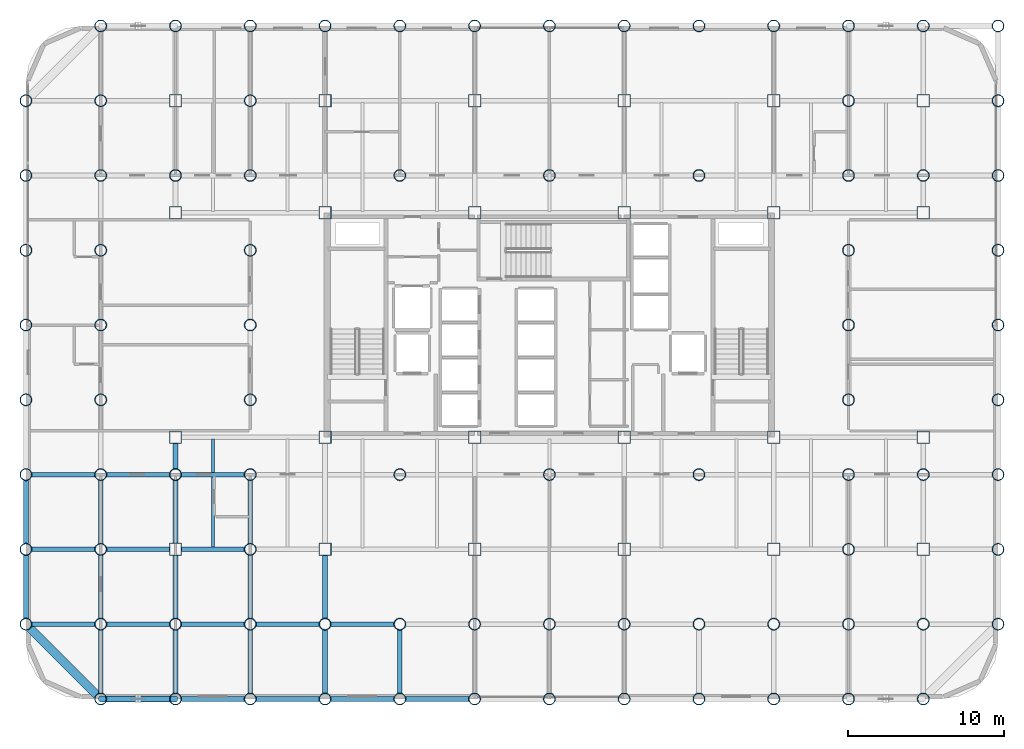
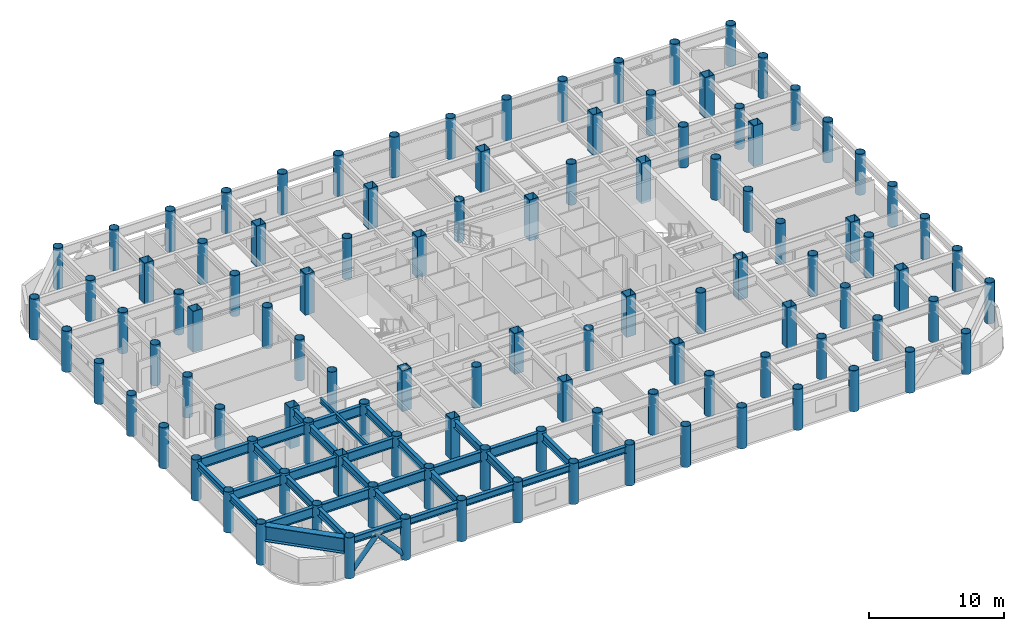
# One storey, part 1 of 21: 108 columns, 33 beams, 2 members.
"""IFC4 building model written with IfcOpenShell, lengths in metres."""

from ifc_helpers import new_model, si_unit, direction, frame, origin, origin_2d, place, context, subcontext, project, spatial, hollow_rectangle, hollow_circle, i_section, extrude, material, material_profile, profile_set, type_object, element, save


model = new_model("IFC4")

# Units and contexts
model_context = context("Model", 3, precision=1e-05, world=origin(), true_north=direction((0.0, 1.0)))
body_context = subcontext(model_context, "Body", "Model", "MODEL_VIEW")
ifc_project = project(units=[si_unit("LENGTHUNIT", "METRE"), si_unit("AREAUNIT", "SQUARE_METRE"), si_unit("VOLUMEUNIT", "CUBIC_METRE"), si_unit("PLANEANGLEUNIT", "RADIAN"), si_unit("MASSUNIT", "GRAM", prefix="KILO")], contexts=[model_context])

# Site, building, storey
site_placement = place(None, origin())
site = spatial("IfcSite", under=ifc_project, at=site_placement, CompositionType="ELEMENT")
building_placement = place(site_placement, origin())
building = spatial("IfcBuilding", under=site, at=building_placement, Name="Kallvorn Hotel Tower", CompositionType="ELEMENT")
storey_placement = place(building_placement, frame((0.0, 0.0, 52.199951171875)))
storey = spatial("IfcBuildingStorey", under=building, at=storey_placement, Name="L11", CompositionType="ELEMENT", Elevation=52.199951171875)

# Columns
ifc_material_1 = material(Name="Structural steel S355J2H", Category="steel")
ifc_material_profile_1 = material_profile(ifc_material_1, hollow_circle(Radius=0.381103515625, WallThickness=0.031982421875, at=origin_2d()), Name="CHS 762x32")
ifc_profile_set_1 = profile_set([ifc_material_profile_1], Name="Structural steel S355J2H")
column_type_1 = type_object("IfcColumnType", Name="COL_CHS_762", PredefinedType="COLUMN", material=ifc_profile_set_1)
for number, where, z_axis, x_axis, name in (
    (1, (-33.60009765625, -19.199951171875, 0.0), (0.0, 0.0, 1.0), (1.0, 0.0, 0.0), "L11 Exoskeleton Column EC01"),
    (2, (-33.60009765625, -14.39990234375, 0.0), (0.0, 0.0, 1.0), (1.0, 0.0, 0.0), "L11 Exoskeleton Column EC02"),
    (3, (-33.60009765625, -9.60009765625, 0.0), (0.0, 0.0, 1.0), (1.0, 0.0, 0.0), "L11 Exoskeleton Column EC03"),
    (4, (-33.60009765625, -4.800048828125, 0.0), (0.0, 0.0, 1.0), (1.0, 0.0, 0.0), "L11 Exoskeleton Column EC04"),
    (5, (-33.60009765625, 0.0, 0.0), (0.0, 0.0, 1.0), (1.0, 0.0, 0.0), "L11 Exoskeleton Column EC05"),
    (6, (-33.60009765625, 4.800048828125, 0.0), (0.0, 0.0, 1.0), (1.0, 0.0, 0.0), "L11 Exoskeleton Column EC06"),
    (7, (-33.60009765625, 9.60009765625, 0.0), (0.0, 0.0, 1.0), (1.0, 0.0, 0.0), "L11 Exoskeleton Column EC07"),
    (8, (-33.60009765625, 14.39990234375, 0.0), (0.0, 0.0, 1.0), (1.0, 0.0, 0.0), "L11 Exoskeleton Column EC08"),
    (9, (-28.800048828125, -24.0, 0.0), (0.0, 0.0, 1.0), (1.0, 0.0, 0.0), "L11 Exoskeleton Column EC09"),
    (10, (-28.800048828125, -19.199951171875, 0.0), (0.0, 0.0, 1.0), (1.0, 0.0, 0.0), "L11 Exoskeleton Column EC10"),
    (11, (-28.800048828125, -14.39990234375, 0.0), (0.0, 0.0, 1.0), (1.0, 0.0, 0.0), "L11 Exoskeleton Column EC11"),
    (12, (-28.800048828125, -9.60009765625, 0.0), (0.0, 0.0, 1.0), (1.0, 0.0, 0.0), "L11 Exoskeleton Column EC12"),
    (13, (-28.800048828125, -4.800048828125, 0.0), (0.0, 0.0, 1.0), (1.0, 0.0, 0.0), "L11 Exoskeleton Column EC13"),
    (14, (-28.800048828125, 0.0, 0.0), (0.0, 0.0, 1.0), (1.0, 0.0, 0.0), "L11 Exoskeleton Column EC14"),
    (15, (-28.800048828125, 4.800048828125, 0.0), (0.0, 0.0, 1.0), (1.0, 0.0, 0.0), "L11 Exoskeleton Column EC15"),
    (16, (-28.800048828125, 9.60009765625, 0.0), (0.0, 0.0, 1.0), (1.0, 0.0, 0.0), "L11 Exoskeleton Column EC16"),
    (17, (-28.800048828125, 14.39990234375, 0.0), (0.0, 0.0, 1.0), (1.0, 0.0, 0.0), "L11 Exoskeleton Column EC17"),
    (18, (-28.800048828125, 19.199951171875, 0.0), (0.0, 0.0, 1.0), (1.0, 0.0, 0.0), "L11 Exoskeleton Column EC18"),
    (19, (-24.0, -24.0, 0.0), (0.0, 0.0, 1.0), (1.0, 0.0, 0.0), "L11 Exoskeleton Column EC19"),
    (20, (-24.0, -19.199951171875, 0.0), (0.0, 0.0, 1.0), (1.0, 0.0, 0.0), "L11 Exoskeleton Column EC20"),
    (21, (-24.0, -9.60009765625, 0.0), (0.0, 0.0, 1.0), (1.0, 0.0, 0.0), "L11 Exoskeleton Column EC21"),
    (22, (-24.0, 9.60009765625, 0.0), (0.0, 0.0, 1.0), (1.0, 0.0, 0.0), "L11 Exoskeleton Column EC22"),
    (23, (-24.0, 19.199951171875, 0.0), (0.0, 0.0, 1.0), (1.0, 0.0, 0.0), "L11 Exoskeleton Column EC23"),
    (24, (-19.199951171875, -24.0, 0.0), (0.0, 0.0, 1.0), (1.0, 0.0, 0.0), "L11 Exoskeleton Column EC24"),
    (25, (-19.199951171875, -19.199951171875, 0.0), (0.0, 0.0, 1.0), (1.0, 0.0, 0.0), "L11 Exoskeleton Column EC25"),
    (26, (-19.199951171875, -14.39990234375, 0.0), (0.0, 0.0, 1.0), (1.0, 0.0, 0.0), "L11 Exoskeleton Column EC26"),
    (27, (-19.199951171875, -9.60009765625, 0.0), (0.0, 0.0, 1.0), (1.0, 0.0, 0.0), "L11 Exoskeleton Column EC27"),
    (28, (-19.199951171875, -4.800048828125, 0.0), (0.0, 0.0, 1.0), (1.0, 0.0, 0.0), "L11 Exoskeleton Column EC28"),
    (29, (-19.199951171875, 0.0, 0.0), (0.0, 0.0, 1.0), (1.0, 0.0, 0.0), "L11 Exoskeleton Column EC29"),
    (30, (-19.199951171875, 4.800048828125, 0.0), (0.0, 0.0, 1.0), (1.0, 0.0, 0.0), "L11 Exoskeleton Column EC30"),
    (31, (-19.199951171875, 9.60009765625, 0.0), (0.0, 0.0, 1.0), (1.0, 0.0, 0.0), "L11 Exoskeleton Column EC31"),
    (32, (-19.199951171875, 14.39990234375, 0.0), (0.0, 0.0, 1.0), (1.0, 0.0, 0.0), "L11 Exoskeleton Column EC32"),
    (33, (-19.199951171875, 19.199951171875, 0.0), (0.0, 0.0, 1.0), (1.0, 0.0, 0.0), "L11 Exoskeleton Column EC33"),
    (34, (-14.39990234375, -24.0, 0.0), (0.0, 0.0, 1.0), (1.0, 0.0, 0.0), "L11 Exoskeleton Column EC34"),
    (35, (-14.39990234375, -19.199951171875, 0.0), (0.0, 0.0, 1.0), (1.0, 0.0, 0.0), "L11 Exoskeleton Column EC35"),
    (36, (-14.39990234375, 19.199951171875, 0.0), (0.0, 0.0, 1.0), (1.0, 0.0, 0.0), "L11 Exoskeleton Column EC36"),
    (37, (-9.60009765625, -24.0, 0.0), (0.0, 0.0, 1.0), (1.0, 0.0, 0.0), "L11 Exoskeleton Column EC37"),
    (38, (-9.60009765625, -19.199951171875, 0.0), (0.0, 0.0, 1.0), (1.0, 0.0, 0.0), "L11 Exoskeleton Column EC38"),
    (39, (-9.60009765625, -9.60009765625, 0.0), (0.0, 0.0, 1.0), (1.0, 0.0, 0.0), "L11 Exoskeleton Column EC39"),
    (40, (-9.60009765625, 9.60009765625, 0.0), (0.0, 0.0, 1.0), (1.0, 0.0, 0.0), "L11 Exoskeleton Column EC40"),
    (41, (-9.60009765625, 19.199951171875, 0.0), (0.0, 0.0, 1.0), (1.0, 0.0, 0.0), "L11 Exoskeleton Column EC41"),
    (42, (-4.800048828125, -24.0, 0.0), (0.0, 0.0, 1.0), (1.0, 0.0, 0.0), "L11 Exoskeleton Column EC42"),
    (43, (-4.800048828125, -19.199951171875, 0.0), (0.0, 0.0, 1.0), (1.0, 0.0, 0.0), "L11 Exoskeleton Column EC43"),
    (44, (-4.800048828125, 19.199951171875, 0.0), (0.0, 0.0, 1.0), (1.0, 0.0, 0.0), "L11 Exoskeleton Column EC44"),
    (45, (0.0, -24.0, 0.0), (0.0, 0.0, 1.0), (1.0, 0.0, 0.0), "L11 Exoskeleton Column EC45"),
    (46, (0.0, -19.199951171875, 0.0), (0.0, 0.0, 1.0), (1.0, 0.0, 0.0), "L11 Exoskeleton Column EC46"),
    (47, (0.0, -9.60009765625, 0.0), (0.0, 0.0, 1.0), (1.0, 0.0, 0.0), "L11 Exoskeleton Column EC47"),
    (48, (0.0, 9.60009765625, 0.0), (0.0, 0.0, 1.0), (1.0, 0.0, 0.0), "L11 Exoskeleton Column EC48"),
    (49, (0.0, 19.199951171875, 0.0), (0.0, 0.0, 1.0), (1.0, 0.0, 0.0), "L11 Exoskeleton Column EC49"),
    (50, (4.800048828125, -24.0, 0.0), (0.0, 0.0, 1.0), (1.0, 0.0, 0.0), "L11 Exoskeleton Column EC50"),
    (51, (4.800048828125, -19.199951171875, 0.0), (0.0, 0.0, 1.0), (1.0, 0.0, 0.0), "L11 Exoskeleton Column EC51"),
    (52, (4.800048828125, 19.199951171875, 0.0), (0.0, 0.0, 1.0), (1.0, 0.0, 0.0), "L11 Exoskeleton Column EC52"),
    (53, (9.60009765625, -24.0, 0.0), (0.0, 0.0, 1.0), (1.0, 0.0, 0.0), "L11 Exoskeleton Column EC53"),
    (54, (9.60009765625, -19.199951171875, 0.0), (0.0, 0.0, 1.0), (1.0, 0.0, 0.0), "L11 Exoskeleton Column EC54"),
    (55, (9.60009765625, -9.60009765625, 0.0), (0.0, 0.0, 1.0), (1.0, 0.0, 0.0), "L11 Exoskeleton Column EC55"),
    (56, (9.60009765625, 9.60009765625, 0.0), (0.0, 0.0, 1.0), (1.0, 0.0, 0.0), "L11 Exoskeleton Column EC56"),
    (57, (9.60009765625, 19.199951171875, 0.0), (0.0, 0.0, 1.0), (1.0, 0.0, 0.0), "L11 Exoskeleton Column EC57"),
    (58, (14.39990234375, -24.0, 0.0), (0.0, 0.0, 1.0), (1.0, 0.0, 0.0), "L11 Exoskeleton Column EC58"),
    (59, (14.39990234375, -19.199951171875, 0.0), (0.0, 0.0, 1.0), (1.0, 0.0, 0.0), "L11 Exoskeleton Column EC59"),
    (60, (14.39990234375, 19.199951171875, 0.0), (0.0, 0.0, 1.0), (1.0, 0.0, 0.0), "L11 Exoskeleton Column EC60"),
    (61, (19.199951171875, -24.0, 0.0), (0.0, 0.0, 1.0), (1.0, 0.0, 0.0), "L11 Exoskeleton Column EC61"),
    (62, (19.199951171875, -19.199951171875, 0.0), (0.0, 0.0, 1.0), (1.0, 0.0, 0.0), "L11 Exoskeleton Column EC62"),
    (63, (19.199951171875, -14.39990234375, 0.0), (0.0, 0.0, 1.0), (1.0, 0.0, 0.0), "L11 Exoskeleton Column EC63"),
    (64, (19.199951171875, -9.60009765625, 0.0), (0.0, 0.0, 1.0), (1.0, 0.0, 0.0), "L11 Exoskeleton Column EC64"),
    (65, (19.199951171875, -4.800048828125, 0.0), (0.0, 0.0, 1.0), (1.0, 0.0, 0.0), "L11 Exoskeleton Column EC65"),
    (66, (19.199951171875, 0.0, 0.0), (0.0, 0.0, 1.0), (1.0, 0.0, 0.0), "L11 Exoskeleton Column EC66"),
    (67, (19.199951171875, 4.800048828125, 0.0), (0.0, 0.0, 1.0), (1.0, 0.0, 0.0), "L11 Exoskeleton Column EC67"),
    (68, (19.199951171875, 9.60009765625, 0.0), (0.0, 0.0, 1.0), (1.0, 0.0, 0.0), "L11 Exoskeleton Column EC68"),
    (69, (19.199951171875, 14.39990234375, 0.0), (0.0, 0.0, 1.0), (1.0, 0.0, 0.0), "L11 Exoskeleton Column EC69"),
    (70, (19.199951171875, 19.199951171875, 0.0), (0.0, 0.0, 1.0), (1.0, 0.0, 0.0), "L11 Exoskeleton Column EC70"),
    (71, (24.0, -24.0, 0.0), (0.0, 0.0, 1.0), (1.0, 0.0, 0.0), "L11 Exoskeleton Column EC71"),
    (72, (24.0, -19.199951171875, 0.0), (0.0, 0.0, 1.0), (1.0, 0.0, 0.0), "L11 Exoskeleton Column EC72"),
    (73, (24.0, -9.60009765625, 0.0), (0.0, 0.0, 1.0), (1.0, 0.0, 0.0), "L11 Exoskeleton Column EC73"),
    (74, (24.0, 9.60009765625, 0.0), (0.0, 0.0, 1.0), (1.0, 0.0, 0.0), "L11 Exoskeleton Column EC74"),
    (75, (24.0, 19.199951171875, 0.0), (0.0, 0.0, 1.0), (1.0, 0.0, 0.0), "L11 Exoskeleton Column EC75"),
    (76, (28.800048828125, -19.199951171875, 0.0), (0.0, 0.0, 1.0), (1.0, 0.0, 0.0), "L11 Exoskeleton Column EC76"),
    (77, (28.800048828125, -14.39990234375, 0.0), (0.0, 0.0, 1.0), (1.0, 0.0, 0.0), "L11 Exoskeleton Column EC77"),
    (78, (28.800048828125, -9.60009765625, 0.0), (0.0, 0.0, 1.0), (1.0, 0.0, 0.0), "L11 Exoskeleton Column EC78"),
    (79, (28.800048828125, -4.800048828125, 0.0), (0.0, 0.0, 1.0), (1.0, 0.0, 0.0), "L11 Exoskeleton Column EC79"),
    (80, (28.800048828125, 0.0, 0.0), (0.0, 0.0, 1.0), (1.0, 0.0, 0.0), "L11 Exoskeleton Column EC80"),
    (81, (28.800048828125, 4.800048828125, 0.0), (0.0, 0.0, 1.0), (1.0, 0.0, 0.0), "L11 Exoskeleton Column EC81"),
    (82, (28.800048828125, 9.60009765625, 0.0), (0.0, 0.0, 1.0), (1.0, 0.0, 0.0), "L11 Exoskeleton Column EC82"),
    (83, (28.800048828125, 14.39990234375, 0.0), (0.0, 0.0, 1.0), (1.0, 0.0, 0.0), "L11 Exoskeleton Column EC83"),
    (84, (28.800048828125, 19.199951171875, 0.0), (0.0, 0.0, 1.0), (1.0, 0.0, 0.0), "L11 Exoskeleton Column EC84"),
):
    element("IfcColumn", number, at=place(storey_placement, frame(where, z_axis=z_axis, x_axis=x_axis)), inside=storey, type_object=column_type_1, Name=name, PredefinedType="COLUMN", context=body_context, shape_type="SweptSolid", body=[
        extrude(hollow_circle(Radius=0.381103515625, WallThickness=0.031982421875, at=origin_2d()), origin(), (0.0, 0.0, 1.0), 3.699951171875),
    ])
ifc_material_2 = material(Name="Structural steel S355J2H", Category="steel")
ifc_material_profile_2 = material_profile(ifc_material_2, hollow_rectangle(XDim=0.800048828125, YDim=0.800048828125, WallThickness=0.035888671875, at=origin_2d()), Name="RHS 800x800x36")
ifc_profile_set_2 = profile_set([ifc_material_profile_2], Name="Structural steel S355J2H")
column_type_2 = type_object("IfcColumnType", Name="COL_RHS_800", PredefinedType="COLUMN", material=ifc_profile_set_2)
for number, where, z_axis, x_axis, name in (
    (85, (-24.0, -14.39990234375, 0.0), (0.0, 0.0, 1.0), (1.0, 0.0, 0.0), "L11 Inner Column IC01"),
    (86, (-24.0, -7.199951171875, 0.0), (0.0, 0.0, 1.0), (1.0, 0.0, 0.0), "L11 Inner Column IC02"),
    (87, (-24.0, 7.199951171875, 0.0), (0.0, 0.0, 1.0), (1.0, 0.0, 0.0), "L11 Inner Column IC03"),
    (88, (-24.0, 14.39990234375, 0.0), (0.0, 0.0, 1.0), (1.0, 0.0, 0.0), "L11 Inner Column IC04"),
    (89, (-14.39990234375, -14.39990234375, 0.0), (0.0, 0.0, 1.0), (1.0, 0.0, 0.0), "L11 Inner Column IC05"),
    (90, (-14.39990234375, -7.199951171875, 0.0), (0.0, 0.0, 1.0), (1.0, 0.0, 0.0), "L11 Inner Column IC06"),
    (91, (-14.39990234375, 7.199951171875, 0.0), (0.0, 0.0, 1.0), (1.0, 0.0, 0.0), "L11 Inner Column IC07"),
    (92, (-14.39990234375, 14.39990234375, 0.0), (0.0, 0.0, 1.0), (1.0, 0.0, 0.0), "L11 Inner Column IC08"),
    (93, (-4.800048828125, -14.39990234375, 0.0), (0.0, 0.0, 1.0), (1.0, 0.0, 0.0), "L11 Inner Column IC09"),
    (94, (-4.800048828125, -7.199951171875, 0.0), (0.0, 0.0, 1.0), (1.0, 0.0, 0.0), "L11 Inner Column IC10"),
    (95, (-4.800048828125, 7.199951171875, 0.0), (0.0, 0.0, 1.0), (1.0, 0.0, 0.0), "L11 Inner Column IC11"),
    (96, (-4.800048828125, 14.39990234375, 0.0), (0.0, 0.0, 1.0), (1.0, 0.0, 0.0), "L11 Inner Column IC12"),
    (97, (4.800048828125, -14.39990234375, 0.0), (0.0, 0.0, 1.0), (1.0, 0.0, 0.0), "L11 Inner Column IC13"),
    (98, (4.800048828125, -7.199951171875, 0.0), (0.0, 0.0, 1.0), (1.0, 0.0, 0.0), "L11 Inner Column IC14"),
    (99, (4.800048828125, 7.199951171875, 0.0), (0.0, 0.0, 1.0), (1.0, 0.0, 0.0), "L11 Inner Column IC15"),
    (100, (4.800048828125, 14.39990234375, 0.0), (0.0, 0.0, 1.0), (1.0, 0.0, 0.0), "L11 Inner Column IC16"),
    (101, (14.39990234375, -14.39990234375, 0.0), (0.0, 0.0, 1.0), (1.0, 0.0, 0.0), "L11 Inner Column IC17"),
    (102, (14.39990234375, -7.199951171875, 0.0), (0.0, 0.0, 1.0), (1.0, 0.0, 0.0), "L11 Inner Column IC18"),
    (103, (14.39990234375, 7.199951171875, 0.0), (0.0, 0.0, 1.0), (1.0, 0.0, 0.0), "L11 Inner Column IC19"),
    (104, (14.39990234375, 14.39990234375, 0.0), (0.0, 0.0, 1.0), (1.0, 0.0, 0.0), "L11 Inner Column IC20"),
    (105, (24.0, -14.39990234375, 0.0), (0.0, 0.0, 1.0), (1.0, 0.0, 0.0), "L11 Inner Column IC21"),
    (106, (24.0, -7.199951171875, 0.0), (0.0, 0.0, 1.0), (1.0, 0.0, 0.0), "L11 Inner Column IC22"),
    (107, (24.0, 7.199951171875, 0.0), (0.0, 0.0, 1.0), (1.0, 0.0, 0.0), "L11 Inner Column IC23"),
    (108, (24.0, 14.39990234375, 0.0), (0.0, 0.0, 1.0), (1.0, 0.0, 0.0), "L11 Inner Column IC24"),
):
    element("IfcColumn", number, at=place(storey_placement, frame(where, z_axis=z_axis, x_axis=x_axis)), inside=storey, type_object=column_type_2, Name=name, PredefinedType="COLUMN", context=body_context, shape_type="SweptSolid", body=[
        extrude(hollow_rectangle(XDim=0.800048828125, YDim=0.800048828125, WallThickness=0.035888671875, at=origin_2d()), origin(), (0.0, 0.0, 1.0), 3.699951171875),
    ])

# Beams
ifc_material_3 = material(Name="Structural steel S355JR", Category="steel")
ifc_material_profile_3 = material_profile(ifc_material_3, i_section(OverallWidth=0.300048828125, OverallDepth=0.60009765625, WebThickness=0.015380859375, FlangeThickness=0.030029296875, at=origin_2d()), Name="HE 600 B")
ifc_profile_set_3 = profile_set([ifc_material_profile_3], Name="Structural steel S355JR")
beam_type_1 = type_object("IfcBeamType", Name="BM_HE600B", PredefinedType="SPANDREL", material=ifc_profile_set_3)
for number, where, z_axis, x_axis, name in (
    (109, (-28.428955078125, -24.0, 3.219970703125), (1.0, 0.0, 0.0), (0.0, 1.0, 0.0), "L12 Perimeter Spandrel 151"),
    (110, (-23.62890625, -24.0, 3.219970703125), (1.0, 0.0, 0.0), (0.0, 1.0, 0.0), "L12 Perimeter Spandrel 152"),
):
    element("IfcBeam", number, at=place(storey_placement, frame(where, z_axis=z_axis, x_axis=x_axis)), inside=storey, type_object=beam_type_1, Name=name, PredefinedType="SPANDREL", context=body_context, shape_type="SweptSolid", body=[
        extrude(i_section(OverallWidth=0.300048828125, OverallDepth=0.60009765625, WebThickness=0.015380859375, FlangeThickness=0.030029296875, at=origin_2d()), origin(), (0.0, 0.0, 1.0), 4.057861328125),
    ])
for number, where, z_axis, x_axis, name in (
    (111, (-18.8291015625, -24.0, 3.219970703125), (1.0, 0.0, 0.0), (0.0, 1.0, 0.0), "L12 Perimeter Spandrel 153"),
    (112, (-14.029052734375, -24.0, 3.219970703125), (1.0, 0.0, 0.0), (0.0, 1.0, 0.0), "L12 Perimeter Spandrel 154"),
    (113, (-9.22900390625, -24.0, 3.219970703125), (1.0, 0.0, 0.0), (0.0, 1.0, 0.0), "L12 Perimeter Spandrel 155"),
    (114, (-33.60009765625, -18.8291015625, 3.219970703125), (0.0, 1.0, 0.0), (-1.0, 0.0, 0.0), "L12 Perimeter Spandrel 174"),
    (115, (-33.60009765625, -14.029052734375, 3.219970703125), (0.0, 1.0, 0.0), (-1.0, 0.0, 0.0), "L12 Perimeter Spandrel 175"),
):
    element("IfcBeam", number, at=place(storey_placement, frame(where, z_axis=z_axis, x_axis=x_axis)), inside=storey, type_object=beam_type_1, Name=name, PredefinedType="SPANDREL", context=body_context, shape_type="SweptSolid", body=[
        extrude(i_section(OverallWidth=0.300048828125, OverallDepth=0.60009765625, WebThickness=0.015380859375, FlangeThickness=0.030029296875, at=origin_2d()), origin(), (0.0, 0.0, 1.0), 4.05810546875),
    ])
ifc_material_4 = material(Name="Structural steel S355JR", Category="steel")
ifc_material_profile_4 = material_profile(ifc_material_4, i_section(OverallWidth=0.300048828125, OverallDepth=0.699951171875, WebThickness=0.01708984375, FlangeThickness=0.031982421875, at=origin_2d()), Name="HE 700 B")
ifc_profile_set_4 = profile_set([ifc_material_profile_4], Name="Structural steel S355JR")
beam_type_2 = type_object("IfcBeamType", Name="BM_HE700B", PredefinedType="BEAM", material=ifc_profile_set_4)
beam_1_placement = place(storey_placement, frame((-28.800048828125, -23.64404296875, 3.170166015625), z_axis=(0.0, 1.0, 0.0), x_axis=(-1.0, 0.0, 0.0)))
element("IfcBeam", 116, at=beam_1_placement, inside=storey, type_object=beam_type_2, Name="L12 Primary Y-Girder 73", PredefinedType="BEAM", context=body_context, shape_type="SweptSolid", body=[
    extrude(i_section(OverallWidth=0.300048828125, OverallDepth=0.699951171875, WebThickness=0.01708984375, FlangeThickness=0.031982421875, at=origin_2d()), origin(), (0.0, 0.0, 1.0), 4.088134765625),
])
for number, where, z_axis, x_axis, name in (
    (117, (-28.800048828125, -18.843994140625, 3.170166015625), (0.0, 1.0, 0.0), (-1.0, 0.0, 0.0), "L12 Primary Y-Girder 74"),
    (118, (-28.800048828125, -14.0439453125, 3.170166015625), (0.0, 1.0, 0.0), (-1.0, 0.0, 0.0), "L12 Primary Y-Girder 75"),
):
    element("IfcBeam", number, at=place(storey_placement, frame(where, z_axis=z_axis, x_axis=x_axis)), inside=storey, type_object=beam_type_2, Name=name, PredefinedType="BEAM", context=body_context, shape_type="SweptSolid", body=[
        extrude(i_section(OverallWidth=0.300048828125, OverallDepth=0.699951171875, WebThickness=0.01708984375, FlangeThickness=0.031982421875, at=origin_2d()), origin(), (0.0, 0.0, 1.0), 4.087890625),
    ])
beam_2_placement = place(storey_placement, frame((-24.0, -23.64404296875, 3.170166015625), z_axis=(0.0, 1.0, 0.0), x_axis=(-1.0, 0.0, 0.0)))
element("IfcBeam", 119, at=beam_2_placement, inside=storey, type_object=beam_type_2, Name="L12 Primary Y-Girder 82", PredefinedType="BEAM", context=body_context, shape_type="SweptSolid", body=[
    extrude(i_section(OverallWidth=0.300048828125, OverallDepth=0.699951171875, WebThickness=0.01708984375, FlangeThickness=0.031982421875, at=origin_2d()), origin(), (0.0, 0.0, 1.0), 4.088134765625),
])
beam_3_placement = place(storey_placement, frame((-24.0, -18.843994140625, 3.170166015625), z_axis=(0.0, 1.0, 0.0), x_axis=(-1.0, 0.0, 0.0)))
element("IfcBeam", 120, at=beam_3_placement, inside=storey, type_object=beam_type_2, Name="L12 Primary Y-Girder 83", PredefinedType="BEAM", context=body_context, shape_type="SweptSolid", body=[
    extrude(i_section(OverallWidth=0.300048828125, OverallDepth=0.699951171875, WebThickness=0.01708984375, FlangeThickness=0.031982421875, at=origin_2d()), origin(), (0.0, 0.0, 1.0), 4.069091796875),
])
beam_4_placement = place(storey_placement, frame((-24.0, -14.02490234375, 3.170166015625), z_axis=(0.0, 1.0, 0.0), x_axis=(-1.0, 0.0, 0.0)))
element("IfcBeam", 121, at=beam_4_placement, inside=storey, type_object=beam_type_2, Name="L12 Primary Y-Girder 84", PredefinedType="BEAM", context=body_context, shape_type="SweptSolid", body=[
    extrude(i_section(OverallWidth=0.300048828125, OverallDepth=0.699951171875, WebThickness=0.01708984375, FlangeThickness=0.031982421875, at=origin_2d()), origin(), (0.0, 0.0, 1.0), 4.06884765625),
])
beam_5_placement = place(storey_placement, frame((-24.0, -9.243896484375, 3.170166015625), z_axis=(0.0, 1.0, 0.0), x_axis=(-1.0, 0.0, 0.0)))
element("IfcBeam", 122, at=beam_5_placement, inside=storey, type_object=beam_type_2, Name="L12 Primary Y-Girder 85", PredefinedType="BEAM", context=body_context, shape_type="SweptSolid", body=[
    extrude(i_section(OverallWidth=0.300048828125, OverallDepth=0.699951171875, WebThickness=0.01708984375, FlangeThickness=0.031982421875, at=origin_2d()), origin(), (0.0, 0.0, 1.0), 1.6689453125),
])
beam_6_placement = place(storey_placement, frame((-19.199951171875, -23.64404296875, 3.170166015625), z_axis=(0.0, 1.0, 0.0), x_axis=(-1.0, 0.0, 0.0)))
element("IfcBeam", 123, at=beam_6_placement, inside=storey, type_object=beam_type_2, Name="L12 Primary Y-Girder 89", PredefinedType="BEAM", context=body_context, shape_type="SweptSolid", body=[
    extrude(i_section(OverallWidth=0.300048828125, OverallDepth=0.699951171875, WebThickness=0.01708984375, FlangeThickness=0.031982421875, at=origin_2d()), origin(), (0.0, 0.0, 1.0), 4.088134765625),
])
for number, where, z_axis, x_axis, name in (
    (124, (-19.199951171875, -18.843994140625, 3.170166015625), (0.0, 1.0, 0.0), (-1.0, 0.0, 0.0), "L12 Primary Y-Girder 90"),
    (125, (-19.199951171875, -14.0439453125, 3.170166015625), (0.0, 1.0, 0.0), (-1.0, 0.0, 0.0), "L12 Primary Y-Girder 91"),
):
    element("IfcBeam", number, at=place(storey_placement, frame(where, z_axis=z_axis, x_axis=x_axis)), inside=storey, type_object=beam_type_2, Name=name, PredefinedType="BEAM", context=body_context, shape_type="SweptSolid", body=[
        extrude(i_section(OverallWidth=0.300048828125, OverallDepth=0.699951171875, WebThickness=0.01708984375, FlangeThickness=0.031982421875, at=origin_2d()), origin(), (0.0, 0.0, 1.0), 4.087890625),
    ])
beam_7_placement = place(storey_placement, frame((-14.39990234375, -23.64404296875, 3.170166015625), z_axis=(0.0, 1.0, 0.0), x_axis=(-1.0, 0.0, 0.0)))
element("IfcBeam", 126, at=beam_7_placement, inside=storey, type_object=beam_type_2, Name="L12 Primary Y-Girder 98", PredefinedType="BEAM", context=body_context, shape_type="SweptSolid", body=[
    extrude(i_section(OverallWidth=0.300048828125, OverallDepth=0.699951171875, WebThickness=0.01708984375, FlangeThickness=0.031982421875, at=origin_2d()), origin(), (0.0, 0.0, 1.0), 4.088134765625),
])
beam_8_placement = place(storey_placement, frame((-14.39990234375, -18.843994140625, 3.170166015625), z_axis=(0.0, 1.0, 0.0), x_axis=(-1.0, 0.0, 0.0)))
element("IfcBeam", 127, at=beam_8_placement, inside=storey, type_object=beam_type_2, Name="L12 Primary Y-Girder 99", PredefinedType="BEAM", context=body_context, shape_type="SweptSolid", body=[
    extrude(i_section(OverallWidth=0.300048828125, OverallDepth=0.699951171875, WebThickness=0.01708984375, FlangeThickness=0.031982421875, at=origin_2d()), origin(), (0.0, 0.0, 1.0), 4.069091796875),
])
beam_9_placement = place(storey_placement, frame((-9.60009765625, -23.64404296875, 3.170166015625), z_axis=(0.0, 1.0, 0.0), x_axis=(-1.0, 0.0, 0.0)))
element("IfcBeam", 128, at=beam_9_placement, inside=storey, type_object=beam_type_2, Name="L12 Primary Y-Girder 103", PredefinedType="BEAM", context=body_context, shape_type="SweptSolid", body=[
    extrude(i_section(OverallWidth=0.300048828125, OverallDepth=0.699951171875, WebThickness=0.01708984375, FlangeThickness=0.031982421875, at=origin_2d()), origin(), (0.0, 0.0, 1.0), 4.088134765625),
])
ifc_material_5 = material(Name="Structural steel S355JR", Category="steel")
ifc_material_profile_5 = material_profile(ifc_material_5, i_section(OverallWidth=0.300048828125, OverallDepth=0.89990234375, WebThickness=0.0185546875, FlangeThickness=0.034912109375, at=origin_2d()), Name="HE 900 B")
ifc_profile_set_5 = profile_set([ifc_material_profile_5], Name="Structural steel S355JR")
beam_type_3 = type_object("IfcBeamType", Name="BM_HE900B", PredefinedType="BEAM", material=ifc_profile_set_5)
beam_10_placement = place(storey_placement, frame((-33.243896484375, -19.199951171875, 3.070068359375), z_axis=(1.0, 0.0, 0.0), x_axis=(0.0, 1.0, 0.0)))
element("IfcBeam", 129, at=beam_10_placement, inside=storey, type_object=beam_type_3, Name="L12 Primary X-Girder 01", PredefinedType="BEAM", context=body_context, shape_type="SweptSolid", body=[
    extrude(i_section(OverallWidth=0.300048828125, OverallDepth=0.89990234375, WebThickness=0.0185546875, FlangeThickness=0.034912109375, at=origin_2d()), origin(), (0.0, 0.0, 1.0), 4.087890625),
])
for number, where, z_axis, x_axis, name in (
    (130, (-28.444091796875, -19.199951171875, 3.070068359375), (1.0, 0.0, 0.0), (0.0, 1.0, 0.0), "L12 Primary X-Girder 02"),
    (131, (-23.64404296875, -19.199951171875, 3.070068359375), (1.0, 0.0, 0.0), (0.0, 1.0, 0.0), "L12 Primary X-Girder 03"),
):
    element("IfcBeam", number, at=place(storey_placement, frame(where, z_axis=z_axis, x_axis=x_axis)), inside=storey, type_object=beam_type_3, Name=name, PredefinedType="BEAM", context=body_context, shape_type="SweptSolid", body=[
        extrude(i_section(OverallWidth=0.300048828125, OverallDepth=0.89990234375, WebThickness=0.0185546875, FlangeThickness=0.034912109375, at=origin_2d()), origin(), (0.0, 0.0, 1.0), 4.088134765625),
    ])
for number, where, z_axis, x_axis, name in (
    (132, (-18.843994140625, -19.199951171875, 3.070068359375), (1.0, 0.0, 0.0), (0.0, 1.0, 0.0), "L12 Primary X-Girder 04"),
    (133, (-14.0439453125, -19.199951171875, 3.070068359375), (1.0, 0.0, 0.0), (0.0, 1.0, 0.0), "L12 Primary X-Girder 05"),
    (134, (-33.243896484375, -14.39990234375, 3.070068359375), (1.0, 0.0, 0.0), (0.0, 1.0, 0.0), "L12 Primary X-Girder 14"),
):
    element("IfcBeam", number, at=place(storey_placement, frame(where, z_axis=z_axis, x_axis=x_axis)), inside=storey, type_object=beam_type_3, Name=name, PredefinedType="BEAM", context=body_context, shape_type="SweptSolid", body=[
        extrude(i_section(OverallWidth=0.300048828125, OverallDepth=0.89990234375, WebThickness=0.0185546875, FlangeThickness=0.034912109375, at=origin_2d()), origin(), (0.0, 0.0, 1.0), 4.087890625),
    ])
for number, where, z_axis, x_axis, name in (
    (135, (-28.444091796875, -14.39990234375, 3.070068359375), (1.0, 0.0, 0.0), (0.0, 1.0, 0.0), "L12 Primary X-Girder 15"),
    (136, (-23.625, -14.39990234375, 3.070068359375), (1.0, 0.0, 0.0), (0.0, 1.0, 0.0), "L12 Primary X-Girder 16"),
):
    element("IfcBeam", number, at=place(storey_placement, frame(where, z_axis=z_axis, x_axis=x_axis)), inside=storey, type_object=beam_type_3, Name=name, PredefinedType="BEAM", context=body_context, shape_type="SweptSolid", body=[
        extrude(i_section(OverallWidth=0.300048828125, OverallDepth=0.89990234375, WebThickness=0.0185546875, FlangeThickness=0.034912109375, at=origin_2d()), origin(), (0.0, 0.0, 1.0), 4.069091796875),
    ])
beam_11_placement = place(storey_placement, frame((-33.243896484375, -9.60009765625, 3.070068359375), z_axis=(1.0, 0.0, 0.0), x_axis=(0.0, 1.0, 0.0)))
element("IfcBeam", 137, at=beam_11_placement, inside=storey, type_object=beam_type_3, Name="L12 Primary X-Girder 24", PredefinedType="BEAM", context=body_context, shape_type="SweptSolid", body=[
    extrude(i_section(OverallWidth=0.300048828125, OverallDepth=0.89990234375, WebThickness=0.0185546875, FlangeThickness=0.034912109375, at=origin_2d()), origin(), (0.0, 0.0, 1.0), 4.087890625),
])
for number, where, z_axis, x_axis, name in (
    (138, (-28.444091796875, -9.60009765625, 3.070068359375), (1.0, 0.0, 0.0), (0.0, 1.0, 0.0), "L12 Primary X-Girder 25"),
    (139, (-23.64404296875, -9.60009765625, 3.070068359375), (1.0, 0.0, 0.0), (0.0, 1.0, 0.0), "L12 Primary X-Girder 26"),
):
    element("IfcBeam", number, at=place(storey_placement, frame(where, z_axis=z_axis, x_axis=x_axis)), inside=storey, type_object=beam_type_3, Name=name, PredefinedType="BEAM", context=body_context, shape_type="SweptSolid", body=[
        extrude(i_section(OverallWidth=0.300048828125, OverallDepth=0.89990234375, WebThickness=0.0185546875, FlangeThickness=0.034912109375, at=origin_2d()), origin(), (0.0, 0.0, 1.0), 4.088134765625),
    ])
ifc_material_6 = material(Name="Structural steel S355JR", Category="steel")
ifc_material_profile_6 = material_profile(ifc_material_6, i_section(OverallWidth=0.18994140625, OverallDepth=0.449951171875, WebThickness=0.009521484375, FlangeThickness=0.0146484375, at=origin_2d()), Name="IPE 450")
ifc_profile_set_6 = profile_set([ifc_material_profile_6], Name="Structural steel S355JR")
beam_type_4 = type_object("IfcBeamType", Name="BM_IPE450", PredefinedType="JOIST", material=ifc_profile_set_6)
beam_12_placement = place(storey_placement, frame((-21.60009765625, -14.300048828125, 3.295166015625), z_axis=(0.0, 1.0, 0.0), x_axis=(-1.0, 0.0, 0.0)))
element("IfcBeam", 140, at=beam_12_placement, inside=storey, type_object=beam_type_4, Name="L12 Secondary Composite Joist 192", PredefinedType="JOIST", context=body_context, shape_type="SweptSolid", body=[
    extrude(i_section(OverallWidth=0.18994140625, OverallDepth=0.449951171875, WebThickness=0.009521484375, FlangeThickness=0.0146484375, at=origin_2d()), origin(), (0.0, 0.0, 1.0), 7.0),
])
ifc_material_7 = material(Name="Structural steel S355JR", Category="steel")
ifc_material_profile_7 = material_profile(ifc_material_7, i_section(OverallWidth=0.550048828125, OverallDepth=1.39990234375, WebThickness=0.02490234375, FlangeThickness=0.044921875, at=origin_2d()), Name="PG 1400x550x25x45")
ifc_profile_set_7 = profile_set([ifc_material_profile_7], Name="Structural steel S355JR")
beam_type_5 = type_object("IfcBeamType", Name="BM_PG_1400", PredefinedType="BEAM", material=ifc_profile_set_7)
beam_13_placement = place(storey_placement, frame((-33.337646484375, -19.46240234375, 2.820068359375), z_axis=(0.707106781187, -0.707106781187, 0.0), x_axis=(0.707106781187, 0.707106781187, 0.0)))
element("IfcBeam", 141, at=beam_13_placement, inside=storey, type_object=beam_type_5, Name="L12 Rounded Corner Tie Beam 189", PredefinedType="BEAM", context=body_context, shape_type="SweptSolid", body=[
    extrude(i_section(OverallWidth=0.550048828125, OverallDepth=1.39990234375, WebThickness=0.02490234375, FlangeThickness=0.044921875, at=origin_2d()), origin(), (0.0, 0.0, 1.0), 6.04638671875),
])

# Members
ifc_material_8 = material(Name="Structural steel S355J2H", Category="steel")
ifc_material_profile_8 = material_profile(ifc_material_8, hollow_circle(Radius=0.203125, WallThickness=0.01611328125, at=origin_2d()), Name="CHS 406.4x16")
ifc_profile_set_8 = profile_set([ifc_material_profile_8], Name="Structural steel S355J2H")
member_type = type_object("IfcMemberType", Name="MBR_EXO_CHS406", PredefinedType="BRACE", material=ifc_profile_set_8)
for number, where, z_axis, x_axis, name in (
    (142, (-28.786865234375, -24.0, 0.195068359375), (0.653427382465, 0.0, 0.756989204576), (0.0, 1.0, 0.0), "L11 Exoskeleton K-Brace S1A"),
    (143, (-24.01318359375, -24.0, 0.195068359375), (-0.653427382465, 0.0, 0.756989204576), (0.0, -1.0, 0.0), "L11 Exoskeleton K-Brace S1B"),
):
    element("IfcMember", number, at=place(storey_placement, frame(where, z_axis=z_axis, x_axis=x_axis)), inside=storey, type_object=member_type, Name=name, PredefinedType="BRACE", context=body_context, shape_type="SweptSolid", body=[
        extrude(hollow_circle(Radius=0.203125, WallThickness=0.01611328125, at=origin_2d()), origin(), (0.0, 0.0, 1.0), 3.6328125),
    ])

save(model, "model.ifc")
